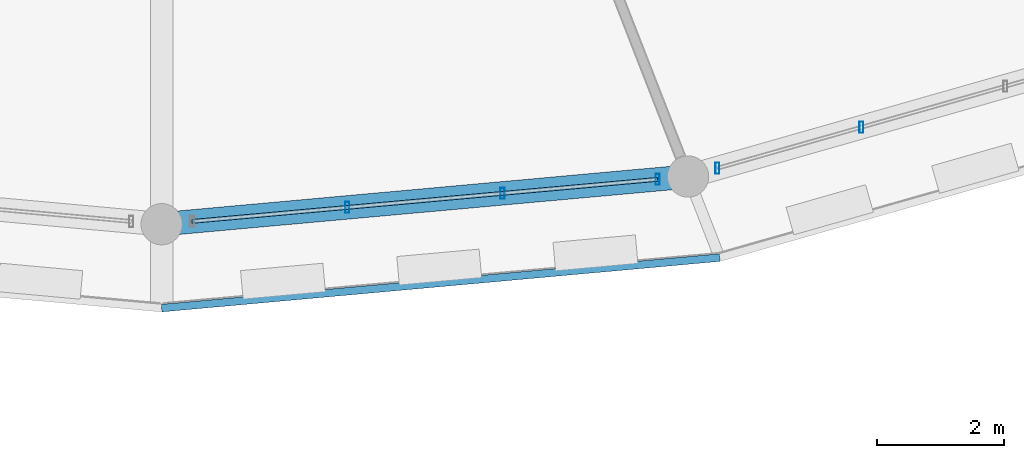
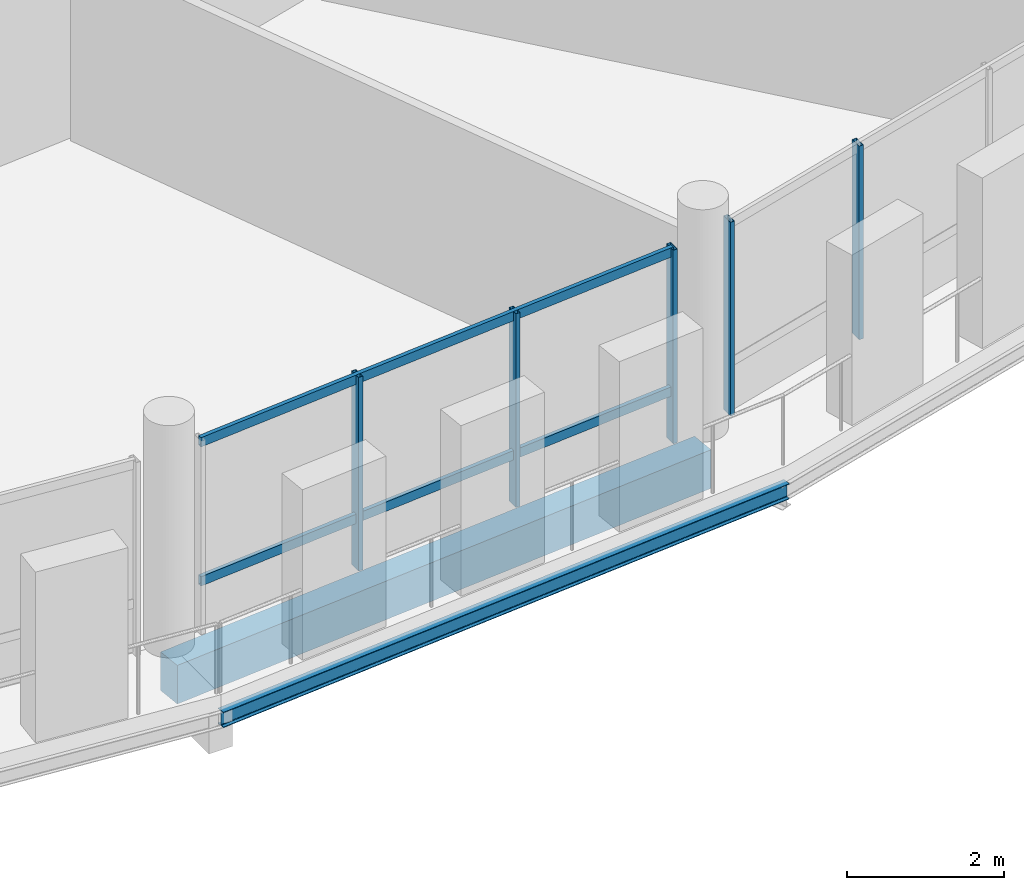
# One storey, part 26 of 93: 7 members, 2 beams, 2 elements without a shape of their own.
"""IFC4 building model written with IfcOpenShell, lengths in metres."""

from ifc_helpers import new_model, si_unit, direction, frame, origin, origin_2d, place, context, subcontext, project, spatial, rectangle, hollow_rectangle, i_section, extrude, material, material_profile, profile_set, type_object, element, aggregate, save


model = new_model("IFC4")

# Units and contexts
model_context = context("Model", 3, precision=1e-05, world=origin(), true_north=direction((0.0, 1.0)))
body_context = subcontext(model_context, "Body", "Model", "MODEL_VIEW")
ifc_project = project(units=[si_unit("LENGTHUNIT", "METRE"), si_unit("AREAUNIT", "SQUARE_METRE"), si_unit("VOLUMEUNIT", "CUBIC_METRE"), si_unit("PLANEANGLEUNIT", "RADIAN"), si_unit("MASSUNIT", "GRAM", prefix="KILO")], contexts=[model_context])

# Site, building, storey
site_placement = place(None, origin())
site = spatial("IfcSite", under=ifc_project, at=site_placement, CompositionType="ELEMENT")
building_placement = place(site_placement, origin())
building = spatial("IfcBuilding", under=site, at=building_placement, Name="Zornivar Specialist Clinic", CompositionType="ELEMENT")
storey_placement = place(building_placement, frame((0.0, 0.0, 8.39990234375)))
storey = spatial("IfcBuildingStorey", under=building, at=storey_placement, Name="L02", CompositionType="ELEMENT", Elevation=8.39990234375)

# Beams
ifc_material_1 = material(Name="Concrete C30/37", Category="concrete")
ifc_material_profile_1 = material_profile(ifc_material_1, rectangle(XDim=0.3701171875, YDim=0.60009765625, at=origin_2d()), Name="RC 370x600")
ifc_profile_set_1 = profile_set([ifc_material_profile_1], Name="Concrete C30/37")
beam_type_1 = type_object("IfcBeamType", Name="BM-RC-SPANDREL-370x600", PredefinedType="SPANDREL", material=ifc_profile_set_1)
beam_1_placement = place(storey_placement, frame((93.60009765625, 35.60009765625, -0.539794921875), z_axis=(0.99592467027, 0.09018897465, 0.0), x_axis=(-0.09018897465, 0.99592467027, 0.0)))
element("IfcBeam", 1, at=beam_1_placement, inside=storey, type_object=beam_type_1, Name="bm:V1:L02:outring:18", PredefinedType="SPANDREL", context=body_context, shape_type="SweptSolid", body=[
    extrude(rectangle(XDim=0.3701171875, YDim=0.60009765625, at=origin_2d()), origin(), (0.0, 0.0, 1.0), 8.31591796875),
])
ifc_material_2 = material(Name="Steel S355J2", Category="steel")
ifc_material_profile_2 = material_profile(ifc_material_2, i_section(OverallWidth=0.1201171875, OverallDepth=0.239990234375, WebThickness=0.006103515625, FlangeThickness=0.009765625, FilletRadius=0.014892578125, at=origin_2d()), Name="IPE 240")
ifc_profile_set_2 = profile_set([ifc_material_profile_2], Name="Steel S355J2")
beam_type_2 = type_object("IfcBeamType", Name="BM-STL-IPE240", PredefinedType="JOIST", material=ifc_profile_set_2)
beam_2_placement = place(storey_placement, frame((93.60009765625, 34.280029296875, -0.35986328125), z_axis=(0.995925380717, 0.090181129084, 0.0), x_axis=(-0.090181129084, 0.995925380717, 0.0)))
element("IfcBeam", 2, at=beam_2_placement, inside=storey, type_object=beam_type_2, Name="bm:V1:L02:balring:18", PredefinedType="JOIST", context=body_context, shape_type="SweptSolid", body=[
    extrude(i_section(OverallWidth=0.1201171875, OverallDepth=0.239990234375, WebThickness=0.006103515625, FlangeThickness=0.009765625, FilletRadius=0.014892578125, at=origin_2d()), origin(), (0.0, 0.0, 1.0), 8.814697265625),
])

# Curtain wall, members
ifc_material_3 = material(Name="Aluminium and Low-E Glass Curtain Wall", Category="aluminium")
curtain_wall_type = type_object("IfcCurtainWallType", Name="CW-DRUM-FACET", PredefinedType="NOTDEFINED", material=ifc_material_3)
curtain_wall_1_placement = place(storey_placement, origin())
curtain_wall_1 = element("IfcCurtainWall", 3, at=curtain_wall_1_placement, inside=storey, type_object=curtain_wall_type, Name="cw:V1:L02:c18", PredefinedType="NOTDEFINED")
ifc_material_4 = material(Name="Aluminium AW-6060", Category="aluminium")
ifc_material_profile_3 = material_profile(ifc_material_4, hollow_rectangle(XDim=0.06494140625, YDim=0.175048828125, WallThickness=0.00439453125, at=origin_2d()), Name="ALU 65x175x4.5")
ifc_profile_set_3 = profile_set([ifc_material_profile_3], Name="Aluminium AW-6060")
member_type_1 = type_object("IfcMemberType", Name="CWM-MUL-175", PredefinedType="MULLION", material=ifc_profile_set_3)
member_1_placement = place(storey_placement, frame((96.52001953125, 35.864990234375, 0.0), z_axis=(0.0, 0.0, 1.0), x_axis=(1.0, 0.0, 0.0)))
member_1 = element("IfcMember", 4, at=member_1_placement, type_object=member_type_1, Name="cw:V1:L02:c18:mul:1", PredefinedType="MULLION", context=body_context, shape_type="SweptSolid", body=[
    extrude(hollow_rectangle(XDim=0.06494140625, YDim=0.175048828125, WallThickness=0.00439453125, at=origin_2d()), origin(), (0.0, 0.0, 1.0), 3.010009765625),
])
member_2_placement = place(storey_placement, frame((98.9619140625, 36.0859375, 0.0), z_axis=(0.0, 0.0, 1.0), x_axis=(1.0, 0.0, 0.0)))
member_2 = element("IfcMember", 5, at=member_2_placement, type_object=member_type_1, Name="cw:V1:L02:c18:mul:2", PredefinedType="MULLION", context=body_context, shape_type="SweptSolid", body=[
    extrude(hollow_rectangle(XDim=0.06494140625, YDim=0.175048828125, WallThickness=0.00439453125, at=origin_2d()), origin(), (0.0, 0.0, 1.0), 3.010009765625),
])
member_3_placement = place(storey_placement, frame((101.404052734375, 36.306884765625, 0.0), z_axis=(0.0, 0.0, 1.0), x_axis=(1.0, 0.0, 0.0)))
member_3 = element("IfcMember", 6, at=member_3_placement, type_object=member_type_1, Name="cw:V1:L02:c18:mul:3", PredefinedType="MULLION", context=body_context, shape_type="SweptSolid", body=[
    extrude(hollow_rectangle(XDim=0.06494140625, YDim=0.175048828125, WallThickness=0.00439453125, at=origin_2d()), origin(), (0.0, 0.0, 1.0), 3.010009765625),
])

curtain_wall_2_placement = place(storey_placement, origin())
curtain_wall_2 = element("IfcCurtainWall", 7, at=curtain_wall_2_placement, inside=storey, type_object=curtain_wall_type, Name="cw:V1:L02:c19", PredefinedType="NOTDEFINED")
member_4_placement = place(storey_placement, frame((102.343017578125, 36.48095703125, 0.0), z_axis=(0.0, 0.0, 1.0), x_axis=(1.0, 0.0, 0.0)))
member_4 = element("IfcMember", 8, at=member_4_placement, type_object=member_type_1, Name="cw:V1:L02:c19:mul:0", PredefinedType="MULLION", context=body_context, shape_type="SweptSolid", body=[
    extrude(hollow_rectangle(XDim=0.06494140625, YDim=0.175048828125, WallThickness=0.00439453125, at=origin_2d()), origin(), (0.0, 0.0, 1.0), 3.010009765625),
])
member_5_placement = place(storey_placement, frame((104.60791015625, 37.1259765625, 0.0), z_axis=(0.0, 0.0, 1.0), x_axis=(1.0, 0.0, 0.0)))
member_5 = element("IfcMember", 9, at=member_5_placement, type_object=member_type_1, Name="cw:V1:L02:c19:mul:1", PredefinedType="MULLION", context=body_context, shape_type="SweptSolid", body=[
    extrude(hollow_rectangle(XDim=0.06494140625, YDim=0.175048828125, WallThickness=0.00439453125, at=origin_2d()), origin(), (0.0, 0.0, 1.0), 3.010009765625),
])
aggregate(curtain_wall_2, [member_4, member_5])

# Member
ifc_material_5 = material(Name="Aluminium AW-6060", Category="aluminium")
ifc_material_profile_4 = material_profile(ifc_material_5, hollow_rectangle(XDim=0.06005859375, YDim=0.14501953125, WallThickness=0.00390625, at=origin_2d()), Name="ALU 60x145x4")
ifc_profile_set_4 = profile_set([ifc_material_profile_4], Name="Aluminium AW-6060")
member_type_2 = type_object("IfcMemberType", Name="CWM-TRN-145", PredefinedType="USERDEFINED", material=ifc_profile_set_4)
member_6_placement = place(storey_placement, frame((94.077880859375, 35.64404296875, 0.783203125), z_axis=(0.995943921343, 0.089976138722, 0.0), x_axis=(-0.089976138722, 0.995943921343, 0.0)))
member_6 = element("IfcMember", 10, at=member_6_placement, type_object=member_type_2, Name="cw:V1:L02:c18:trn:0", ObjectType="TRANSOM", PredefinedType="USERDEFINED", context=body_context, shape_type="SweptSolid", body=[
    extrude(hollow_rectangle(XDim=0.06005859375, YDim=0.14501953125, WallThickness=0.00390625, at=origin_2d()), origin(), (0.0, 0.0, 1.0), 7.35595703125),
])

member_7_placement = place(storey_placement, frame((94.077880859375, 35.64404296875, 2.945068359375), z_axis=(0.995943921343, 0.089976138722, 0.0), x_axis=(-0.089976138722, 0.995943921343, 0.0)))
member_7 = element("IfcMember", 11, at=member_7_placement, type_object=member_type_2, Name="cw:V1:L02:c18:trn:1", ObjectType="TRANSOM", PredefinedType="USERDEFINED", context=body_context, shape_type="SweptSolid", body=[
    extrude(hollow_rectangle(XDim=0.06005859375, YDim=0.14501953125, WallThickness=0.00390625, at=origin_2d()), origin(), (0.0, 0.0, 1.0), 7.35595703125),
])

aggregate(curtain_wall_1, [member_1, member_2, member_3, member_6, member_7])

save(model, "model.ifc")
